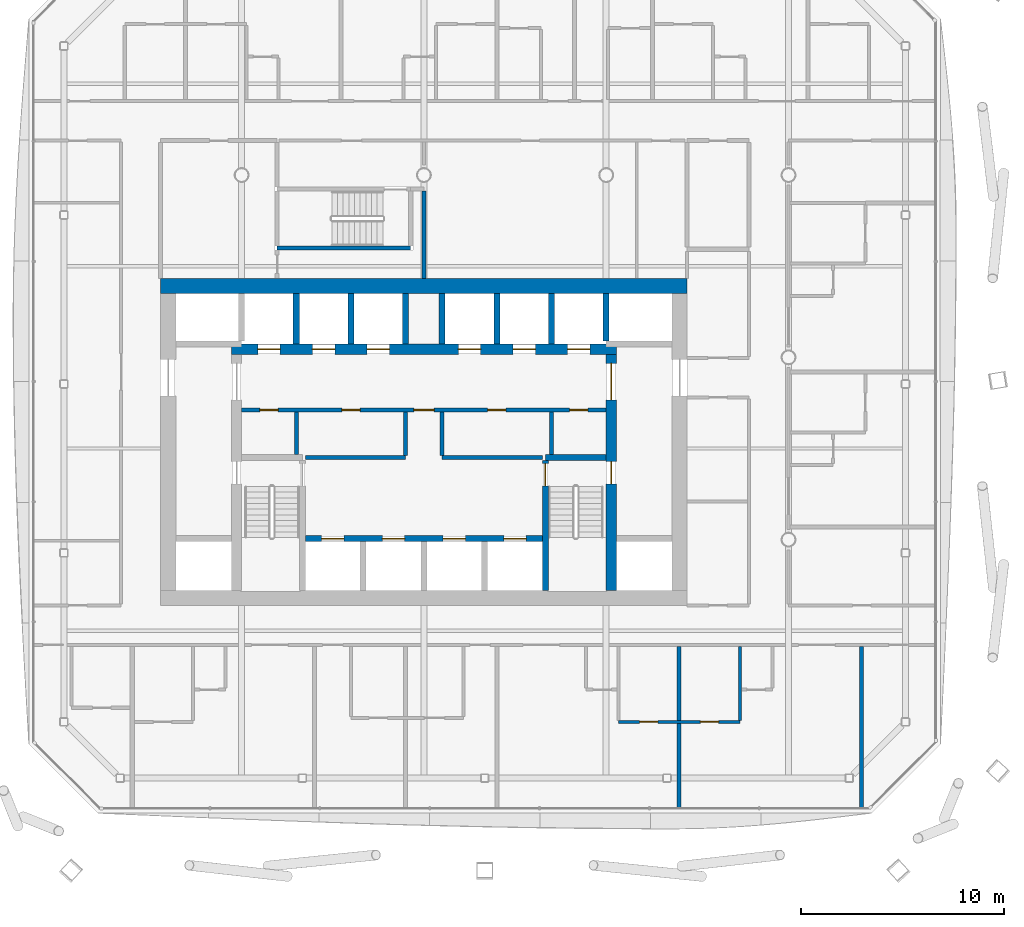
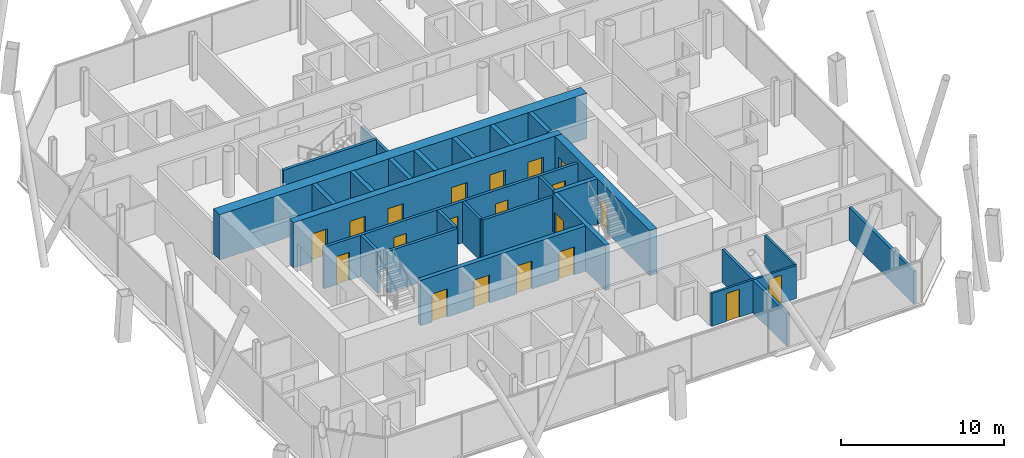
# One storey, part 15 of 23: 26 walls, 20 doors, 20 openings.
"""IFC4 building model written with IfcOpenShell, lengths in metres."""

from ifc_helpers import new_model, si_unit, direction, frame, frame_2d, origin, place, context, subcontext, project, spatial, rectangle, extrude, material, layer, layer_set, type_object, element, fill, save


model = new_model("IFC4")

# Units and contexts
model_context = context("Model", 3, precision=1e-05, world=origin(), true_north=direction((0.0, 1.0)))
body_context = subcontext(model_context, "Body", "Model", "MODEL_VIEW")
ifc_project = project(units=[si_unit("LENGTHUNIT", "METRE"), si_unit("AREAUNIT", "SQUARE_METRE"), si_unit("VOLUMEUNIT", "CUBIC_METRE"), si_unit("PLANEANGLEUNIT", "RADIAN"), si_unit("MASSUNIT", "GRAM", prefix="KILO")], contexts=[model_context])

# Site, building, storey
site_placement = place(None, origin())
site = spatial("IfcSite", under=ifc_project, at=site_placement, CompositionType="ELEMENT")
building_placement = place(site_placement, origin())
building = spatial("IfcBuilding", under=site, at=building_placement, Name="Tskaro Facet Tower", CompositionType="ELEMENT")
storey_placement = place(building_placement, frame((0.0, 0.0, 141.89990234375)))
storey = spatial("IfcBuildingStorey", under=building, at=storey_placement, Name="L34", CompositionType="ELEMENT", Elevation=141.89990234375)

# Wall, openings, doors
ifc_material_1 = material(Name="Concrete C60/75", Category="concrete")
ifc_layer_1 = layer(ifc_material_1, 0.300048828125, Name="Concrete C60/75")
ifc_layer_set_1 = layer_set([ifc_layer_1], Name="Concrete C60/75")
wall_type_1 = type_object("IfcWallType", Name="CORE-SHAFT", PredefinedType="SHEAR", material=ifc_layer_set_1)
wall_1_placement = place(storey_placement, frame((-5.85009765625, -8.949951171875, 0.0), z_axis=(0.0, 0.0, 1.0), x_axis=(1.0, 0.0, 0.0)))
wall_1 = element("IfcWall", 1, at=wall_1_placement, inside=storey, type_object=wall_type_1, Name="Shaft wall W014", PredefinedType="SHEAR", context=body_context, shape_type="SweptSolid", body=[
    extrude(rectangle(XDim=11.7001953125, YDim=0.300048828125, at=frame_2d((5.85009765625, 0.0))), origin(), (0.0, 0.0, 1.0), 3.400146484375),
])
opening_1_placement = place(wall_1_placement, frame((0.800048828125, 0.0, 0.0)))
opening_1 = element("IfcOpeningElement", 2, at=opening_1_placement, cuts=wall_1, Name="Opening LD-FF1", PredefinedType="OPENING", context=body_context, shape_type="SweptSolid", body=[
    extrude(rectangle(XDim=1.10009765625, YDim=2.10009765625, at=frame_2d((0.550048828125, 1.050048828125))), frame((0.0, 0.159912109375, 0.0), z_axis=(0.0, -1.0, 0.0), x_axis=(1.0, 0.0, 0.0)), (0.0, 0.0, 1.0), 0.320068359375),
])
opening_2_placement = place(wall_1_placement, frame((3.800048828125, 0.0, 0.0)))
opening_2 = element("IfcOpeningElement", 3, at=opening_2_placement, cuts=wall_1, Name="Opening LD-FF2", PredefinedType="OPENING", context=body_context, shape_type="SweptSolid", body=[
    extrude(rectangle(XDim=1.10009765625, YDim=2.10009765625, at=frame_2d((0.550048828125, 1.050048828125))), frame((0.0, 0.159912109375, 0.0), z_axis=(0.0, -1.0, 0.0), x_axis=(1.0, 0.0, 0.0)), (0.0, 0.0, 1.0), 0.320068359375),
])
opening_3_placement = place(wall_1_placement, frame((6.800048828125, 0.0, 0.0)))
opening_3 = element("IfcOpeningElement", 4, at=opening_3_placement, cuts=wall_1, Name="Opening LD-SV1", PredefinedType="OPENING", context=body_context, shape_type="SweptSolid", body=[
    extrude(rectangle(XDim=1.10009765625, YDim=2.10009765625, at=frame_2d((0.550048828125, 1.050048828125))), frame((0.0, 0.159912109375, 0.0), z_axis=(0.0, -1.0, 0.0), x_axis=(1.0, 0.0, 0.0)), (0.0, 0.0, 1.0), 0.320068359375),
])
opening_4_placement = place(wall_1_placement, frame((9.800048828125, 0.0, 0.0)))
opening_4 = element("IfcOpeningElement", 5, at=opening_4_placement, cuts=wall_1, Name="Opening LD-SV2", PredefinedType="OPENING", context=body_context, shape_type="SweptSolid", body=[
    extrude(rectangle(XDim=1.10009765625, YDim=2.10009765625, at=frame_2d((0.550048828125, 1.050048828125))), frame((0.0, 0.159912109375, 0.0), z_axis=(0.0, -1.0, 0.0), x_axis=(1.0, 0.0, 0.0)), (0.0, 0.0, 1.0), 0.320068359375),
])
ifc_material_2 = material(Name="Stainless steel", Category="steel")
door_type_1 = type_object("IfcDoorType", Name="D-LANDING", OperationType="NOTDEFINED", PredefinedType="DOOR", material=ifc_material_2)
door_1_placement = place(opening_1_placement, origin())
door_1 = element("IfcDoor", 6, at=door_1_placement, inside=storey, type_object=door_type_1, Name="Landing door FF1", OperationType="DOUBLE_DOOR_SLIDING", OverallHeight=2.10009765625, OverallWidth=1.10009765625, PredefinedType="DOOR", context=body_context, shape_type="SweptSolid", body=[
    extrude(rectangle(XDim=1.10009765625, YDim=2.10009765625, at=frame_2d((0.550048828125, 1.050048828125))), frame((0.0, 0.02490234375, 0.0), z_axis=(0.0, -1.0, 0.0), x_axis=(1.0, 0.0, 0.0)), (0.0, 0.0, 1.0), 0.050048828125),
])
fill(opening_1, door_1)
door_2_placement = place(opening_2_placement, origin())
door_2 = element("IfcDoor", 7, at=door_2_placement, inside=storey, type_object=door_type_1, Name="Landing door FF2", OperationType="DOUBLE_DOOR_SLIDING", OverallHeight=2.10009765625, OverallWidth=1.10009765625, PredefinedType="DOOR", context=body_context, shape_type="SweptSolid", body=[
    extrude(rectangle(XDim=1.10009765625, YDim=2.10009765625, at=frame_2d((0.550048828125, 1.050048828125))), frame((0.0, 0.02490234375, 0.0), z_axis=(0.0, -1.0, 0.0), x_axis=(1.0, 0.0, 0.0)), (0.0, 0.0, 1.0), 0.050048828125),
])
fill(opening_2, door_2)
door_3_placement = place(opening_3_placement, origin())
door_3 = element("IfcDoor", 8, at=door_3_placement, inside=storey, type_object=door_type_1, Name="Landing door SV1", OperationType="DOUBLE_DOOR_SLIDING", OverallHeight=2.10009765625, OverallWidth=1.10009765625, PredefinedType="DOOR", context=body_context, shape_type="SweptSolid", body=[
    extrude(rectangle(XDim=1.10009765625, YDim=2.10009765625, at=frame_2d((0.550048828125, 1.050048828125))), frame((0.0, 0.02490234375, 0.0), z_axis=(0.0, -1.0, 0.0), x_axis=(1.0, 0.0, 0.0)), (0.0, 0.0, 1.0), 0.050048828125),
])
fill(opening_3, door_3)
door_4_placement = place(opening_4_placement, origin())
door_4 = element("IfcDoor", 9, at=door_4_placement, inside=storey, type_object=door_type_1, Name="Landing door SV2", OperationType="DOUBLE_DOOR_SLIDING", OverallHeight=2.10009765625, OverallWidth=1.10009765625, PredefinedType="DOOR", context=body_context, shape_type="SweptSolid", body=[
    extrude(rectangle(XDim=1.10009765625, YDim=2.10009765625, at=frame_2d((0.550048828125, 1.050048828125))), frame((0.0, 0.02490234375, 0.0), z_axis=(0.0, -1.0, 0.0), x_axis=(1.0, 0.0, 0.0)), (0.0, 0.0, 1.0), 0.050048828125),
])
fill(opening_4, door_4)

# Walls
wall_2_placement = place(storey_placement, frame((6.0, -4.949951171875, 0.0), z_axis=(0.0, 0.0, 1.0), x_axis=(1.0, 0.0, 0.0)))
element("IfcWall", 10, at=wall_2_placement, inside=storey, type_object=wall_type_1, Name="Shaft wall W022", PredefinedType="SHEAR", context=body_context, shape_type="SweptSolid", body=[
    extrude(rectangle(XDim=3.0, YDim=0.300048828125, at=frame_2d((1.5, 0.0))), origin(), (0.0, 0.0, 1.0), 3.400146484375),
])
for number, where, z_axis, x_axis, name in (
    (11, (-6.300048828125, 0.64990234375, 0.0), (0.0, 0.0, 1.0), (0.0, 1.0, 0.0), "Shaft wall W069"),
    (12, (-3.60009765625, 0.64990234375, 0.0), (0.0, 0.0, 1.0), (0.0, 1.0, 0.0), "Shaft wall W074"),
    (13, (-0.89990234375, 0.64990234375, 0.0), (0.0, 0.0, 1.0), (0.0, 1.0, 0.0), "Shaft wall W079"),
    (14, (0.89990234375, 0.64990234375, 0.0), (0.0, 0.0, 1.0), (0.0, 1.0, 0.0), "Shaft wall W086"),
    (15, (3.60009765625, 0.64990234375, 0.0), (0.0, 0.0, 1.0), (0.0, 1.0, 0.0), "Shaft wall W090"),
):
    element("IfcWall", number, at=place(storey_placement, frame(where, z_axis=z_axis, x_axis=x_axis)), inside=storey, type_object=wall_type_1, Name=name, PredefinedType="SHEAR", context=body_context, shape_type="SweptSolid", body=[
        extrude(rectangle(XDim=2.5, YDim=0.300048828125, at=frame_2d((1.25, 0.0))), origin(), (0.0, 0.0, 1.0), 3.400146484375),
    ])

# Wall, opening, door
wall_3_placement = place(storey_placement, frame((6.0, -5.10009765625, 0.0), z_axis=(0.0, 0.0, 1.0), x_axis=(0.0, -1.0, 0.0)))
wall_3 = element("IfcWall", 16, at=wall_3_placement, inside=storey, type_object=wall_type_1, Name="Shaft wall W093", PredefinedType="SHEAR", context=body_context, shape_type="SweptSolid", body=[
    extrude(rectangle(XDim=6.39990234375, YDim=0.300048828125, at=frame_2d((3.199951171875, 0.0))), origin(), (0.0, 0.0, 1.0), 3.400146484375),
])
opening_5_placement = place(wall_3_placement, frame((0.14990234375, 0.0, 0.0)))
opening_5 = element("IfcOpeningElement", 17, at=opening_5_placement, cuts=wall_3, Name="Opening ST-2-D1", PredefinedType="OPENING", context=body_context, shape_type="SweptSolid", body=[
    extrude(rectangle(XDim=1.10009765625, YDim=2.10009765625, at=frame_2d((0.550048828125, 1.050048828125))), frame((0.0, 0.159912109375, 0.0), z_axis=(0.0, -1.0, 0.0), x_axis=(1.0, 0.0, 0.0)), (0.0, 0.0, 1.0), 0.320068359375),
])
ifc_material_3 = material(Name="Steel", Category="steel")
door_type_2 = type_object("IfcDoorType", Name="D-STAIR", OperationType="NOTDEFINED", PredefinedType="DOOR", material=ifc_material_3)
door_5_placement = place(opening_5_placement, origin())
door_5 = element("IfcDoor", 18, at=door_5_placement, inside=storey, type_object=door_type_2, Name="Stair door 2", OperationType="SINGLE_SWING_RIGHT", OverallHeight=2.10009765625, OverallWidth=1.10009765625, PredefinedType="DOOR", context=body_context, shape_type="SweptSolid", body=[
    extrude(rectangle(XDim=1.10009765625, YDim=2.10009765625, at=frame_2d((0.550048828125, 1.050048828125))), frame((0.0, 0.02490234375, 0.0), z_axis=(0.0, -1.0, 0.0), x_axis=(1.0, 0.0, 0.0)), (0.0, 0.0, 1.0), 0.050048828125),
])
fill(opening_5, door_5)

# Walls
wall_4_placement = place(storey_placement, frame((6.300048828125, 0.64990234375, 0.0), z_axis=(0.0, 0.0, 1.0), x_axis=(0.0, 1.0, 0.0)))
element("IfcWall", 19, at=wall_4_placement, inside=storey, type_object=wall_type_1, Name="Shaft wall W095", PredefinedType="SHEAR", context=body_context, shape_type="SweptSolid", body=[
    extrude(rectangle(XDim=2.5, YDim=0.300048828125, at=frame_2d((1.25, 0.0))), origin(), (0.0, 0.0, 1.0), 3.400146484375),
])
wall_5_placement = place(storey_placement, frame((9.0, 0.800048828125, 0.0), z_axis=(0.0, 0.0, 1.0), x_axis=(0.0, 1.0, 0.0)))
element("IfcWall", 20, at=wall_5_placement, inside=storey, type_object=wall_type_1, Name="Shaft wall W098", PredefinedType="SHEAR", context=body_context, shape_type="SweptSolid", body=[
    extrude(rectangle(XDim=2.349853515625, YDim=0.300048828125, at=frame_2d((1.1748046875, 0.0))), origin(), (0.0, 0.0, 1.0), 3.400146484375),
])
ifc_material_4 = material(Name="Concrete C20/25", Category="concrete")
ifc_layer_2 = layer(ifc_material_4, 0.199951171875, Name="Concrete C20/25")
ifc_layer_set_2 = layer_set([ifc_layer_2], Name="Concrete C20/25")
wall_type_2 = type_object("IfcWallType", Name="CORE-WALL", PredefinedType="SOLIDWALL", material=ifc_layer_set_2)
for number, where, z_axis, x_axis, name in (
    (21, (-5.85009765625, -4.949951171875, 0.0), (0.0, 0.0, 1.0), (1.0, 0.0, 0.0), "Core room wall W020"),
    (22, (0.89990234375, -4.949951171875, 0.0), (0.0, 0.0, 1.0), (1.0, 0.0, 0.0), "Core room wall W021"),
):
    element("IfcWall", number, at=place(storey_placement, frame(where, z_axis=z_axis, x_axis=x_axis)), inside=storey, type_object=wall_type_2, Name=name, PredefinedType="SOLIDWALL", context=body_context, shape_type="SweptSolid", body=[
        extrude(rectangle(XDim=4.9501953125, YDim=0.199951171875, at=frame_2d((2.47509765625, 0.0))), origin(), (0.0, 0.0, 1.0), 3.10009765625),
    ])

# Wall, openings, doors
wall_6_placement = place(storey_placement, frame((9.0, -2.60009765625, 0.0), z_axis=(0.0, 0.0, 1.0), x_axis=(-1.0, 0.0, 0.0)))
wall_6 = element("IfcWall", 23, at=wall_6_placement, inside=storey, type_object=wall_type_2, Name="Core room wall W024", PredefinedType="SOLIDWALL", context=body_context, shape_type="SweptSolid", body=[
    extrude(rectangle(XDim=18.0, YDim=0.199951171875, at=frame_2d((9.0, 0.0))), origin(), (0.0, 0.0, 1.0), 3.10009765625),
])
opening_6_placement = place(wall_6_placement, frame((8.5, 0.0, 0.0)))
opening_6 = element("IfcOpeningElement", 24, at=opening_6_placement, cuts=wall_6, Name="Opening FL-D1", PredefinedType="OPENING", context=body_context, shape_type="SweptSolid", body=[
    extrude(rectangle(XDim=1.0, YDim=2.10009765625, at=frame_2d((0.5, 1.050048828125))), frame((0.0, 0.10986328125, 0.0), z_axis=(0.0, -1.0, 0.0), x_axis=(1.0, 0.0, 0.0)), (0.0, 0.0, 1.0), 0.219970703125),
])
opening_7_placement = place(wall_6_placement, frame((16.199951171875, 0.0, 0.0)))
opening_7 = element("IfcOpeningElement", 25, at=opening_7_placement, cuts=wall_6, Name="Opening T10-D24", PredefinedType="OPENING", context=body_context, shape_type="SweptSolid", body=[
    extrude(rectangle(XDim=0.89990234375, YDim=2.10009765625, at=frame_2d((0.449951171875, 1.050048828125))), frame((0.0, 0.10986328125, 0.0), z_axis=(0.0, -1.0, 0.0), x_axis=(1.0, 0.0, 0.0)), (0.0, 0.0, 1.0), 0.219970703125),
])
opening_8_placement = place(wall_6_placement, frame((12.14990234375, 0.0, 0.0)))
opening_8 = element("IfcOpeningElement", 26, at=opening_8_placement, cuts=wall_6, Name="Opening T10-D25", PredefinedType="OPENING", context=body_context, shape_type="SweptSolid", body=[
    extrude(rectangle(XDim=0.89990234375, YDim=2.10009765625, at=frame_2d((0.449951171875, 1.050048828125))), frame((0.0, 0.10986328125, 0.0), z_axis=(0.0, -1.0, 0.0), x_axis=(1.0, 0.0, 0.0)), (0.0, 0.0, 1.0), 0.219970703125),
])
opening_9_placement = place(wall_6_placement, frame((4.949951171875, 0.0, 0.0)))
opening_9 = element("IfcOpeningElement", 27, at=opening_9_placement, cuts=wall_6, Name="Opening T10-D26", PredefinedType="OPENING", context=body_context, shape_type="SweptSolid", body=[
    extrude(rectangle(XDim=0.89990234375, YDim=2.10009765625, at=frame_2d((0.449951171875, 1.050048828125))), frame((0.0, 0.10986328125, 0.0), z_axis=(0.0, -1.0, 0.0), x_axis=(1.0, 0.0, 0.0)), (0.0, 0.0, 1.0), 0.219970703125),
])
opening_10_placement = place(wall_6_placement, frame((0.89990234375, 0.0, 0.0)))
opening_10 = element("IfcOpeningElement", 28, at=opening_10_placement, cuts=wall_6, Name="Opening T10-D27", PredefinedType="OPENING", context=body_context, shape_type="SweptSolid", body=[
    extrude(rectangle(XDim=0.89990234375, YDim=2.10009765625, at=frame_2d((0.449951171875, 1.050048828125))), frame((0.0, 0.10986328125, 0.0), z_axis=(0.0, -1.0, 0.0), x_axis=(1.0, 0.0, 0.0)), (0.0, 0.0, 1.0), 0.219970703125),
])
door_type_3 = type_object("IfcDoorType", Name="D-LOBBY", OperationType="NOTDEFINED", PredefinedType="DOOR", material=ifc_material_3)
door_6_placement = place(opening_6_placement, origin())
door_6 = element("IfcDoor", 29, at=door_6_placement, inside=storey, type_object=door_type_3, Name="Lobby door FL", OperationType="SINGLE_SWING_RIGHT", OverallHeight=2.10009765625, OverallWidth=1.0, PredefinedType="DOOR", context=body_context, shape_type="SweptSolid", body=[
    extrude(rectangle(XDim=1.0, YDim=2.10009765625, at=frame_2d((0.5, 1.050048828125))), frame((0.0, 0.02490234375, 0.0), z_axis=(0.0, -1.0, 0.0), x_axis=(1.0, 0.0, 0.0)), (0.0, 0.0, 1.0), 0.050048828125),
])
fill(opening_6, door_6)
ifc_material_5 = material(Name="Timber", Category="wood")
door_type_4 = type_object("IfcDoorType", Name="D-ROOM", OperationType="NOTDEFINED", PredefinedType="DOOR", material=ifc_material_5)
door_7_placement = place(opening_7_placement, origin())
door_7 = element("IfcDoor", 30, at=door_7_placement, inside=storey, type_object=door_type_4, Name="Door T10-D24", OperationType="SINGLE_SWING_RIGHT", OverallHeight=2.10009765625, OverallWidth=0.89990234375, PredefinedType="DOOR", context=body_context, shape_type="SweptSolid", body=[
    extrude(rectangle(XDim=0.89990234375, YDim=2.10009765625, at=frame_2d((0.449951171875, 1.050048828125))), frame((0.0, 0.02490234375, 0.0), z_axis=(0.0, -1.0, 0.0), x_axis=(1.0, 0.0, 0.0)), (0.0, 0.0, 1.0), 0.050048828125),
])
fill(opening_7, door_7)
door_8_placement = place(opening_8_placement, origin())
door_8 = element("IfcDoor", 31, at=door_8_placement, inside=storey, type_object=door_type_4, Name="Door T10-D25", OperationType="SINGLE_SWING_RIGHT", OverallHeight=2.10009765625, OverallWidth=0.89990234375, PredefinedType="DOOR", context=body_context, shape_type="SweptSolid", body=[
    extrude(rectangle(XDim=0.89990234375, YDim=2.10009765625, at=frame_2d((0.449951171875, 1.050048828125))), frame((0.0, 0.02490234375, 0.0), z_axis=(0.0, -1.0, 0.0), x_axis=(1.0, 0.0, 0.0)), (0.0, 0.0, 1.0), 0.050048828125),
])
fill(opening_8, door_8)
door_9_placement = place(opening_9_placement, origin())
door_9 = element("IfcDoor", 32, at=door_9_placement, inside=storey, type_object=door_type_4, Name="Door T10-D26", OperationType="SINGLE_SWING_RIGHT", OverallHeight=2.10009765625, OverallWidth=0.89990234375, PredefinedType="DOOR", context=body_context, shape_type="SweptSolid", body=[
    extrude(rectangle(XDim=0.89990234375, YDim=2.10009765625, at=frame_2d((0.449951171875, 1.050048828125))), frame((0.0, 0.02490234375, 0.0), z_axis=(0.0, -1.0, 0.0), x_axis=(1.0, 0.0, 0.0)), (0.0, 0.0, 1.0), 0.050048828125),
])
fill(opening_9, door_9)
door_10_placement = place(opening_10_placement, origin())
door_10 = element("IfcDoor", 33, at=door_10_placement, inside=storey, type_object=door_type_4, Name="Door T10-D27", OperationType="SINGLE_SWING_RIGHT", OverallHeight=2.10009765625, OverallWidth=0.89990234375, PredefinedType="DOOR", context=body_context, shape_type="SweptSolid", body=[
    extrude(rectangle(XDim=0.89990234375, YDim=2.10009765625, at=frame_2d((0.449951171875, 1.050048828125))), frame((0.0, 0.02490234375, 0.0), z_axis=(0.0, -1.0, 0.0), x_axis=(1.0, 0.0, 0.0)), (0.0, 0.0, 1.0), 0.050048828125),
])
fill(opening_10, door_10)

# Walls
wall_7_placement = place(storey_placement, frame((-6.300048828125, -4.800048828125, 0.0), z_axis=(0.0, 0.0, 1.0), x_axis=(0.0, 1.0, 0.0)))
element("IfcWall", 34, at=wall_7_placement, inside=storey, type_object=wall_type_2, Name="Core room wall W068", PredefinedType="SOLIDWALL", context=body_context, shape_type="SweptSolid", body=[
    extrude(rectangle(XDim=2.10009765625, YDim=0.199951171875, at=frame_2d((1.050048828125, 0.0))), origin(), (0.0, 0.0, 1.0), 3.10009765625),
])
for number, where, z_axis, x_axis, name in (
    (35, (-0.89990234375, -4.85009765625, 0.0), (0.0, 0.0, 1.0), (0.0, 1.0, 0.0), "Core room wall W078"),
    (36, (0.89990234375, -4.85009765625, 0.0), (0.0, 0.0, 1.0), (0.0, 1.0, 0.0), "Core room wall W085"),
):
    element("IfcWall", number, at=place(storey_placement, frame(where, z_axis=z_axis, x_axis=x_axis)), inside=storey, type_object=wall_type_2, Name=name, PredefinedType="SOLIDWALL", context=body_context, shape_type="SweptSolid", body=[
        extrude(rectangle(XDim=2.150146484375, YDim=0.199951171875, at=frame_2d((1.0751953125, 0.0))), origin(), (0.0, 0.0, 1.0), 3.10009765625),
    ])
wall_8_placement = place(storey_placement, frame((6.300048828125, -4.800048828125, 0.0), z_axis=(0.0, 0.0, 1.0), x_axis=(0.0, 1.0, 0.0)))
element("IfcWall", 37, at=wall_8_placement, inside=storey, type_object=wall_type_2, Name="Core room wall W094", PredefinedType="SOLIDWALL", context=body_context, shape_type="SweptSolid", body=[
    extrude(rectangle(XDim=2.10009765625, YDim=0.199951171875, at=frame_2d((1.050048828125, 0.0))), origin(), (0.0, 0.0, 1.0), 3.10009765625),
])

# Wall, openings, doors
ifc_material_6 = material(Name="Concrete C40/50", Category="concrete")
ifc_layer_3 = layer(ifc_material_6, 0.5, Name="Concrete C40/50")
ifc_layer_set_3 = layer_set([ifc_layer_3], Name="Concrete C40/50")
wall_type_3 = type_object("IfcWallType", Name="Core wall 500", PredefinedType="SHEAR", material=ifc_layer_set_3)
wall_9_placement = place(storey_placement, frame((-9.5, 0.39990234375, 0.0), z_axis=(0.0, 0.0, 1.0), x_axis=(1.0, 0.0, 0.0)))
wall_9 = element("IfcWall", 38, at=wall_9_placement, inside=storey, type_object=wall_type_3, Name="Core wall CW-Z3N", PredefinedType="SHEAR", context=body_context, shape_type="SweptSolid", body=[
    extrude(rectangle(XDim=19.0, YDim=0.5, at=frame_2d((9.5, 0.0))), origin(), (0.0, 0.0, 1.0), 3.400146484375),
])
opening_11_placement = place(wall_9_placement, frame((1.300048828125, 0.0, 0.0)))
opening_11 = element("IfcOpeningElement", 39, at=opening_11_placement, cuts=wall_9, Name="Opening LD-MB1", PredefinedType="OPENING", context=body_context, shape_type="SweptSolid", body=[
    extrude(rectangle(XDim=1.10009765625, YDim=2.10009765625, at=frame_2d((0.550048828125, 1.050048828125))), frame((0.0, 0.260009765625, 0.0), z_axis=(0.0, -1.0, 0.0), x_axis=(1.0, 0.0, 0.0)), (0.0, 0.0, 1.0), 0.52001953125),
])
opening_12_placement = place(wall_9_placement, frame((4.0, 0.0, 0.0)))
opening_12 = element("IfcOpeningElement", 40, at=opening_12_placement, cuts=wall_9, Name="Opening LD-MB2", PredefinedType="OPENING", context=body_context, shape_type="SweptSolid", body=[
    extrude(rectangle(XDim=1.10009765625, YDim=2.10009765625, at=frame_2d((0.550048828125, 1.050048828125))), frame((0.0, 0.260009765625, 0.0), z_axis=(0.0, -1.0, 0.0), x_axis=(1.0, 0.0, 0.0)), (0.0, 0.0, 1.0), 0.52001953125),
])
opening_13_placement = place(wall_9_placement, frame((6.699951171875, 0.0, 0.0)))
opening_13 = element("IfcOpeningElement", 41, at=opening_13_placement, cuts=wall_9, Name="Opening LD-MB3", PredefinedType="OPENING", context=body_context, shape_type="SweptSolid", body=[
    extrude(rectangle(XDim=1.10009765625, YDim=2.10009765625, at=frame_2d((0.550048828125, 1.050048828125))), frame((0.0, 0.260009765625, 0.0), z_axis=(0.0, -1.0, 0.0), x_axis=(1.0, 0.0, 0.0)), (0.0, 0.0, 1.0), 0.52001953125),
])
opening_14_placement = place(wall_9_placement, frame((11.199951171875, 0.0, 0.0)))
opening_14 = element("IfcOpeningElement", 42, at=opening_14_placement, cuts=wall_9, Name="Opening LD-MB4", PredefinedType="OPENING", context=body_context, shape_type="SweptSolid", body=[
    extrude(rectangle(XDim=1.10009765625, YDim=2.10009765625, at=frame_2d((0.550048828125, 1.050048828125))), frame((0.0, 0.260009765625, 0.0), z_axis=(0.0, -1.0, 0.0), x_axis=(1.0, 0.0, 0.0)), (0.0, 0.0, 1.0), 0.52001953125),
])
opening_15_placement = place(wall_9_placement, frame((13.89990234375, 0.0, 0.0)))
opening_15 = element("IfcOpeningElement", 43, at=opening_15_placement, cuts=wall_9, Name="Opening LD-MB5", PredefinedType="OPENING", context=body_context, shape_type="SweptSolid", body=[
    extrude(rectangle(XDim=1.10009765625, YDim=2.10009765625, at=frame_2d((0.550048828125, 1.050048828125))), frame((0.0, 0.260009765625, 0.0), z_axis=(0.0, -1.0, 0.0), x_axis=(1.0, 0.0, 0.0)), (0.0, 0.0, 1.0), 0.52001953125),
])
opening_16_placement = place(wall_9_placement, frame((16.60009765625, 0.0, 0.0)))
opening_16 = element("IfcOpeningElement", 44, at=opening_16_placement, cuts=wall_9, Name="Opening LD-MB6", PredefinedType="OPENING", context=body_context, shape_type="SweptSolid", body=[
    extrude(rectangle(XDim=1.10009765625, YDim=2.10009765625, at=frame_2d((0.550048828125, 1.050048828125))), frame((0.0, 0.260009765625, 0.0), z_axis=(0.0, -1.0, 0.0), x_axis=(1.0, 0.0, 0.0)), (0.0, 0.0, 1.0), 0.52001953125),
])
door_11_placement = place(opening_11_placement, origin())
door_11 = element("IfcDoor", 45, at=door_11_placement, inside=storey, type_object=door_type_1, Name="Landing door MB1", OperationType="DOUBLE_DOOR_SLIDING", OverallHeight=2.10009765625, OverallWidth=1.10009765625, PredefinedType="DOOR", context=body_context, shape_type="SweptSolid", body=[
    extrude(rectangle(XDim=1.10009765625, YDim=2.10009765625, at=frame_2d((0.550048828125, 1.050048828125))), frame((0.0, 0.02490234375, 0.0), z_axis=(0.0, -1.0, 0.0), x_axis=(1.0, 0.0, 0.0)), (0.0, 0.0, 1.0), 0.050048828125),
])
fill(opening_11, door_11)
door_12_placement = place(opening_12_placement, origin())
door_12 = element("IfcDoor", 46, at=door_12_placement, inside=storey, type_object=door_type_1, Name="Landing door MB2", OperationType="DOUBLE_DOOR_SLIDING", OverallHeight=2.10009765625, OverallWidth=1.10009765625, PredefinedType="DOOR", context=body_context, shape_type="SweptSolid", body=[
    extrude(rectangle(XDim=1.10009765625, YDim=2.10009765625, at=frame_2d((0.550048828125, 1.050048828125))), frame((0.0, 0.02490234375, 0.0), z_axis=(0.0, -1.0, 0.0), x_axis=(1.0, 0.0, 0.0)), (0.0, 0.0, 1.0), 0.050048828125),
])
fill(opening_12, door_12)
door_13_placement = place(opening_13_placement, origin())
door_13 = element("IfcDoor", 47, at=door_13_placement, inside=storey, type_object=door_type_1, Name="Landing door MB3", OperationType="DOUBLE_DOOR_SLIDING", OverallHeight=2.10009765625, OverallWidth=1.10009765625, PredefinedType="DOOR", context=body_context, shape_type="SweptSolid", body=[
    extrude(rectangle(XDim=1.10009765625, YDim=2.10009765625, at=frame_2d((0.550048828125, 1.050048828125))), frame((0.0, 0.02490234375, 0.0), z_axis=(0.0, -1.0, 0.0), x_axis=(1.0, 0.0, 0.0)), (0.0, 0.0, 1.0), 0.050048828125),
])
fill(opening_13, door_13)
door_14_placement = place(opening_14_placement, origin())
door_14 = element("IfcDoor", 48, at=door_14_placement, inside=storey, type_object=door_type_1, Name="Landing door MB4", OperationType="DOUBLE_DOOR_SLIDING", OverallHeight=2.10009765625, OverallWidth=1.10009765625, PredefinedType="DOOR", context=body_context, shape_type="SweptSolid", body=[
    extrude(rectangle(XDim=1.10009765625, YDim=2.10009765625, at=frame_2d((0.550048828125, 1.050048828125))), frame((0.0, 0.02490234375, 0.0), z_axis=(0.0, -1.0, 0.0), x_axis=(1.0, 0.0, 0.0)), (0.0, 0.0, 1.0), 0.050048828125),
])
fill(opening_14, door_14)
door_15_placement = place(opening_15_placement, origin())
door_15 = element("IfcDoor", 49, at=door_15_placement, inside=storey, type_object=door_type_1, Name="Landing door MB5", OperationType="DOUBLE_DOOR_SLIDING", OverallHeight=2.10009765625, OverallWidth=1.10009765625, PredefinedType="DOOR", context=body_context, shape_type="SweptSolid", body=[
    extrude(rectangle(XDim=1.10009765625, YDim=2.10009765625, at=frame_2d((0.550048828125, 1.050048828125))), frame((0.0, 0.02490234375, 0.0), z_axis=(0.0, -1.0, 0.0), x_axis=(1.0, 0.0, 0.0)), (0.0, 0.0, 1.0), 0.050048828125),
])
fill(opening_15, door_15)
door_16_placement = place(opening_16_placement, origin())
door_16 = element("IfcDoor", 50, at=door_16_placement, inside=storey, type_object=door_type_1, Name="Landing door MB6", OperationType="DOUBLE_DOOR_SLIDING", OverallHeight=2.10009765625, OverallWidth=1.10009765625, PredefinedType="DOOR", context=body_context, shape_type="SweptSolid", body=[
    extrude(rectangle(XDim=1.10009765625, YDim=2.10009765625, at=frame_2d((0.550048828125, 1.050048828125))), frame((0.0, 0.02490234375, 0.0), z_axis=(0.0, -1.0, 0.0), x_axis=(1.0, 0.0, 0.0)), (0.0, 0.0, 1.0), 0.050048828125),
])
fill(opening_16, door_16)

wall_10_placement = place(storey_placement, frame((9.25, -11.5, 0.0), z_axis=(0.0, 0.0, 1.0), x_axis=(0.0, 1.0, 0.0)))
wall_10 = element("IfcWall", 51, at=wall_10_placement, inside=storey, type_object=wall_type_3, Name="Core wall CW-Z3E", PredefinedType="SHEAR", context=body_context, shape_type="SweptSolid", body=[
    extrude(rectangle(XDim=11.64990234375, YDim=0.5, at=frame_2d((5.824951171875, 0.0))), origin(), (0.0, 0.0, 1.0), 3.400146484375),
])
opening_17_placement = place(wall_10_placement, frame((9.39990234375, 0.0, 0.0)))
opening_17 = element("IfcOpeningElement", 52, at=opening_17_placement, cuts=wall_10, Name="Opening T10-D31", PredefinedType="OPENING", context=body_context, shape_type="SweptSolid", body=[
    extrude(rectangle(XDim=1.800048828125, YDim=2.10009765625, at=frame_2d((0.89990234375, 1.050048828125))), frame((0.0, 0.260009765625, 0.0), z_axis=(0.0, -1.0, 0.0), x_axis=(1.0, 0.0, 0.0)), (0.0, 0.0, 1.0), 0.52001953125),
])
opening_18_placement = place(wall_10_placement, frame((5.25, 0.0, 0.0)))
opening_18 = element("IfcOpeningElement", 53, at=opening_18_placement, cuts=wall_10, Name="Opening ST-2-D2", PredefinedType="OPENING", context=body_context, shape_type="SweptSolid", body=[
    extrude(rectangle(XDim=1.10009765625, YDim=2.10009765625, at=frame_2d((0.550048828125, 1.050048828125))), frame((0.0, 0.260009765625, 0.0), z_axis=(0.0, -1.0, 0.0), x_axis=(1.0, 0.0, 0.0)), (0.0, 0.0, 1.0), 0.52001953125),
])
door_type_5 = type_object("IfcDoorType", Name="D-CORE-PAIR", OperationType="NOTDEFINED", PredefinedType="DOOR", material=ifc_material_3)
door_17_placement = place(opening_17_placement, origin())
door_17 = element("IfcDoor", 54, at=door_17_placement, inside=storey, type_object=door_type_5, Name="Door T10-D31", OperationType="DOUBLE_DOOR_SINGLE_SWING", OverallHeight=2.10009765625, OverallWidth=1.800048828125, PredefinedType="DOOR", context=body_context, shape_type="SweptSolid", body=[
    extrude(rectangle(XDim=1.800048828125, YDim=2.10009765625, at=frame_2d((0.89990234375, 1.050048828125))), frame((0.0, 0.02490234375, 0.0), z_axis=(0.0, -1.0, 0.0), x_axis=(1.0, 0.0, 0.0)), (0.0, 0.0, 1.0), 0.050048828125),
])
fill(opening_17, door_17)
door_18_placement = place(opening_18_placement, origin())
door_18 = element("IfcDoor", 55, at=door_18_placement, inside=storey, type_object=door_type_2, Name="Stair door 2 east", OperationType="SINGLE_SWING_LEFT", OverallHeight=2.10009765625, OverallWidth=1.10009765625, PredefinedType="DOOR", context=body_context, shape_type="SweptSolid", body=[
    extrude(rectangle(XDim=1.10009765625, YDim=2.10009765625, at=frame_2d((0.550048828125, 1.050048828125))), frame((0.0, 0.02490234375, 0.0), z_axis=(0.0, -1.0, 0.0), x_axis=(1.0, 0.0, 0.0)), (0.0, 0.0, 1.0), 0.050048828125),
])
fill(opening_18, door_18)

# Wall
ifc_material_7 = material(Name="Concrete C50/60", Category="concrete")
ifc_layer_4 = layer(ifc_material_7, 0.75, Name="Concrete C50/60")
ifc_layer_set_4 = layer_set([ifc_layer_4], Name="Concrete C50/60")
wall_type_4 = type_object("IfcWallType", Name="Core wall 750", PredefinedType="SHEAR", material=ifc_layer_set_4)
wall_11_placement = place(storey_placement, frame((-13.0, 3.52490234375, 0.0), z_axis=(0.0, 0.0, 1.0), x_axis=(1.0, 0.0, 0.0)))
element("IfcWall", 56, at=wall_11_placement, inside=storey, type_object=wall_type_4, Name="Core wall CW-Z2N", PredefinedType="SHEAR", context=body_context, shape_type="SweptSolid", body=[
    extrude(rectangle(XDim=26.0, YDim=0.75, at=frame_2d((13.0, 0.0))), origin(), (0.0, 0.0, 1.0), 3.400146484375),
])

# Wall, openings, doors
ifc_material_8 = material(Name="Gypsum board on steel studs", Category="steel")
ifc_layer_5 = layer(ifc_material_8, 0.14990234375, Name="Gypsum board on steel studs")
ifc_layer_set_5 = layer_set([ifc_layer_5], Name="Gypsum board on steel studs")
wall_type_5 = type_object("IfcWallType", Name="PART-CORR", PredefinedType="PARTITIONING", material=ifc_layer_set_5)
wall_12_placement = place(storey_placement, frame((9.60009765625, -18.0, 0.0), z_axis=(0.0, 0.0, 1.0), x_axis=(1.0, 0.0, 0.0)))
wall_12 = element("IfcWall", 57, at=wall_12_placement, inside=storey, type_object=wall_type_5, Name="Corridor wall W002", PredefinedType="PARTITIONING", context=body_context, shape_type="SweptSolid", body=[
    extrude(rectangle(XDim=6.0, YDim=0.14990234375, at=frame_2d((3.0, 0.0))), origin(), (0.0, 0.0, 1.0), 2.460205078125),
])
opening_19_placement = place(wall_12_placement, frame((1.050048828125, 0.0, 0.0)))
opening_19 = element("IfcOpeningElement", 58, at=opening_19_placement, cuts=wall_12, Name="Opening T10-D02", PredefinedType="OPENING", context=body_context, shape_type="SweptSolid", body=[
    extrude(rectangle(XDim=0.89990234375, YDim=2.10009765625, at=frame_2d((0.449951171875, 1.050048828125))), frame((0.0, 0.0849609375, 0.0), z_axis=(0.0, -1.0, 0.0), x_axis=(1.0, 0.0, 0.0)), (0.0, 0.0, 1.0), 0.169921875),
])
opening_20_placement = place(wall_12_placement, frame((4.050048828125, 0.0, 0.0)))
opening_20 = element("IfcOpeningElement", 59, at=opening_20_placement, cuts=wall_12, Name="Opening T10-D03", PredefinedType="OPENING", context=body_context, shape_type="SweptSolid", body=[
    extrude(rectangle(XDim=0.89990234375, YDim=2.10009765625, at=frame_2d((0.449951171875, 1.050048828125))), frame((0.0, 0.0849609375, 0.0), z_axis=(0.0, -1.0, 0.0), x_axis=(1.0, 0.0, 0.0)), (0.0, 0.0, 1.0), 0.169921875),
])
door_19_placement = place(opening_19_placement, origin())
door_19 = element("IfcDoor", 60, at=door_19_placement, inside=storey, type_object=door_type_4, Name="Door T10-D02", OperationType="SINGLE_SWING_LEFT", OverallHeight=2.10009765625, OverallWidth=0.89990234375, PredefinedType="DOOR", context=body_context, shape_type="SweptSolid", body=[
    extrude(rectangle(XDim=0.89990234375, YDim=2.10009765625, at=frame_2d((0.449951171875, 1.050048828125))), frame((0.0, 0.02490234375, 0.0), z_axis=(0.0, -1.0, 0.0), x_axis=(1.0, 0.0, 0.0)), (0.0, 0.0, 1.0), 0.050048828125),
])
fill(opening_19, door_19)
door_20_placement = place(opening_20_placement, origin())
door_20 = element("IfcDoor", 61, at=door_20_placement, inside=storey, type_object=door_type_4, Name="Door T10-D03", OperationType="SINGLE_SWING_LEFT", OverallHeight=2.10009765625, OverallWidth=0.89990234375, PredefinedType="DOOR", context=body_context, shape_type="SweptSolid", body=[
    extrude(rectangle(XDim=0.89990234375, YDim=2.10009765625, at=frame_2d((0.449951171875, 1.050048828125))), frame((0.0, 0.02490234375, 0.0), z_axis=(0.0, -1.0, 0.0), x_axis=(1.0, 0.0, 0.0)), (0.0, 0.0, 1.0), 0.050048828125),
])
fill(opening_20, door_20)

# Walls
wall_13_placement = place(storey_placement, frame((15.60009765625, -17.925048828125, 0.0), z_axis=(0.0, 0.0, 1.0), x_axis=(0.0, 1.0, 0.0)))
element("IfcWall", 62, at=wall_13_placement, inside=storey, type_object=wall_type_5, Name="Corridor wall W107", PredefinedType="PARTITIONING", context=body_context, shape_type="SweptSolid", body=[
    extrude(rectangle(XDim=3.650146484375, YDim=0.14990234375, at=frame_2d((1.8251953125, 0.0))), origin(), (0.0, 0.0, 1.0), 2.460205078125),
])
ifc_layer_6 = layer(ifc_material_8, 0.199951171875, Name="Gypsum board on steel studs")
ifc_layer_set_6 = layer_set([ifc_layer_6], Name="Gypsum board on steel studs")
wall_type_6 = type_object("IfcWallType", Name="PART-DEMISING", PredefinedType="PARTITIONING", material=ifc_layer_set_6)
for number, where, z_axis, x_axis, name in (
    (63, (12.60009765625, -22.221923828125, 0.0), (0.0, 0.0, 1.0), (0.0, 1.0, 0.0), "Guest room wall W103"),
    (64, (21.59912109375, -22.221923828125, 0.0), (0.0, 0.0, 1.0), (0.0, 1.0, 0.0), "Guest room wall W120"),
):
    element("IfcWall", number, at=place(storey_placement, frame(where, z_axis=z_axis, x_axis=x_axis)), inside=storey, type_object=wall_type_6, Name=name, PredefinedType="PARTITIONING", context=body_context, shape_type="SweptSolid", body=[
        extrude(rectangle(XDim=7.947021484375, YDim=0.199951171875, at=frame_2d((3.9736328125, 0.0))), origin(), (0.0, 0.0, 1.0), 2.460205078125),
    ])
ifc_layer_7 = layer(ifc_material_1, 0.199951171875, Name="Concrete C60/75")
ifc_layer_set_7 = layer_set([ifc_layer_7], Name="Concrete C60/75")
wall_type_7 = type_object("IfcWallType", Name="STAIR-WALL", PredefinedType="SHEAR", material=ifc_layer_set_7)
wall_14_placement = place(storey_placement, frame((-7.25, 5.39990234375, 0.0), z_axis=(0.0, 0.0, 1.0), x_axis=(1.0, 0.0, 0.0)))
element("IfcWall", 65, at=wall_14_placement, inside=storey, type_object=wall_type_7, Name="Stair wall W033", PredefinedType="SHEAR", context=body_context, shape_type="SweptSolid", body=[
    extrude(rectangle(XDim=6.60009765625, YDim=0.199951171875, at=frame_2d((3.300048828125, 0.0))), origin(), (0.0, 0.0, 1.0), 3.400146484375),
])
ifc_layer_8 = layer(ifc_material_4, 0.199951171875, Name="Concrete C20/25")
ifc_layer_set_8 = layer_set([ifc_layer_8], Name="Concrete C20/25")
wall_type_8 = type_object("IfcWallType", Name="WALL-RISER", PredefinedType="SOLIDWALL", material=ifc_layer_set_8)
wall_15_placement = place(storey_placement, frame((0.0, 3.89990234375, 0.0), z_axis=(0.0, 0.0, 1.0), x_axis=(0.0, 1.0, 0.0)))
element("IfcWall", 66, at=wall_15_placement, inside=storey, type_object=wall_type_8, Name="Riser room wall W082", PredefinedType="SOLIDWALL", context=body_context, shape_type="SweptSolid", body=[
    extrude(rectangle(XDim=4.300048828125, YDim=0.199951171875, at=frame_2d((2.14990234375, 0.0))), origin(), (0.0, 0.0, 1.0), 2.460205078125),
])

save(model, "model.ifc")
